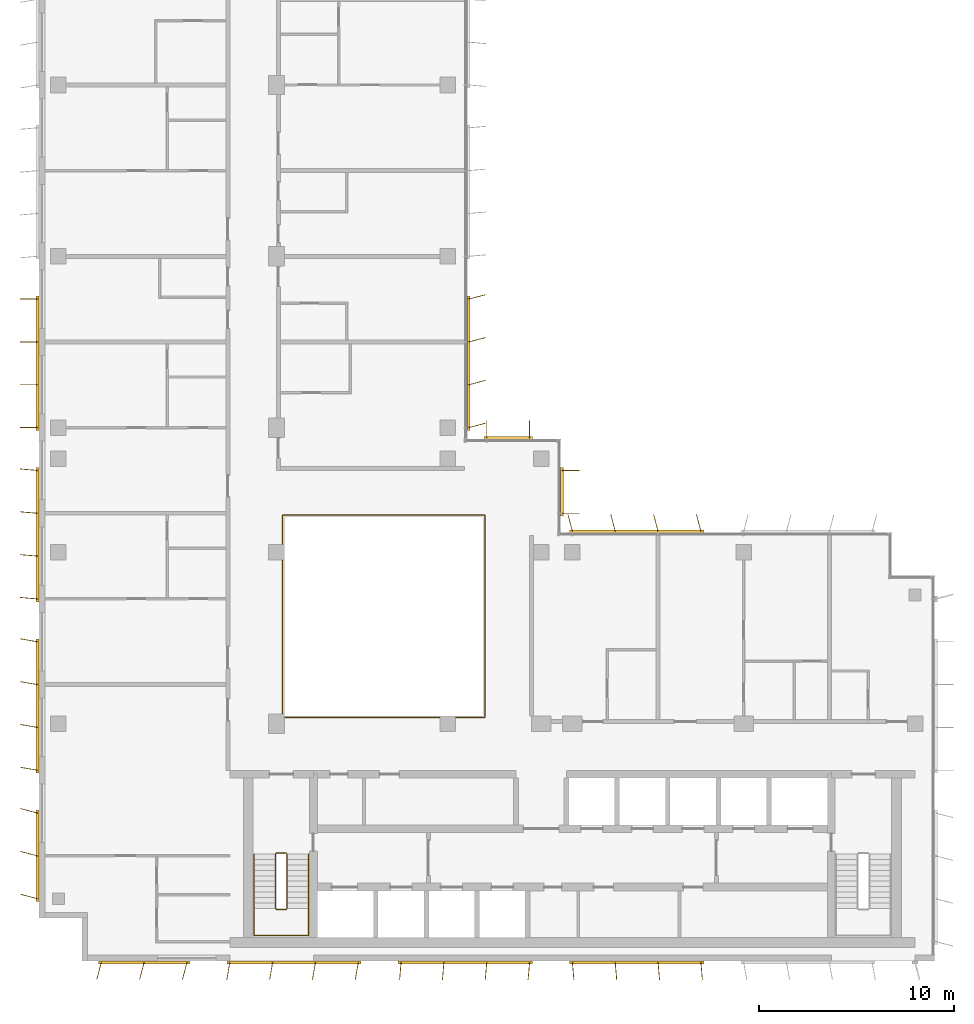
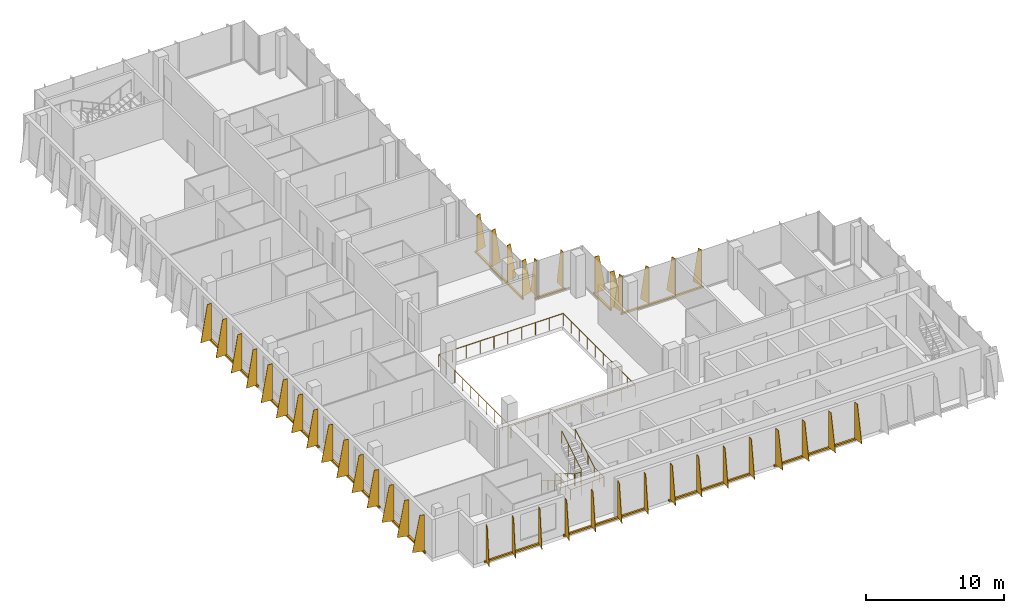
# One storey, part 14 of 16: 12 shading devices, 3 railings.
"""IFC4 building model written with IfcOpenShell, lengths in metres."""

from ifc_helpers import new_model, si_unit, direction, frame, origin, origin_2d, place, context, subcontext, project, spatial, polyline, rectangle, circle, outline, extrude, source, transform, mapped, material, layer, layer_set, type_object, element, save


model = new_model("IFC4")

# Units and contexts
model_context = context("Model", 3, precision=1e-05, world=origin(), true_north=direction((0.0, 1.0)))
body_context = subcontext(model_context, "Body", "Model", "MODEL_VIEW")
ifc_project = project(units=[si_unit("LENGTHUNIT", "METRE"), si_unit("AREAUNIT", "SQUARE_METRE"), si_unit("VOLUMEUNIT", "CUBIC_METRE"), si_unit("PLANEANGLEUNIT", "RADIAN"), si_unit("MASSUNIT", "GRAM", prefix="KILO")], contexts=[model_context])

# Site, building, storey
site_placement = place(None, origin())
site = spatial("IfcSite", under=ifc_project, at=site_placement, CompositionType="ELEMENT")
building_placement = place(site_placement, origin())
building = spatial("IfcBuilding", under=site, at=building_placement, Name="Kemantara Hotel Tower", CompositionType="ELEMENT")
storey_placement = place(building_placement, frame((0.0, 0.0, 287.0)))
storey = spatial("IfcBuildingStorey", under=building, at=storey_placement, Name="L72", CompositionType="ELEMENT", Elevation=287.0)

# Railings
ifc_material_1 = material(Name="Stainless steel and laminated glass balustrade", Category="steel")
railing_type_1 = type_object("IfcRailingType", Name="ATRIUM GUARD 1100", PredefinedType="GUARDRAIL", material=ifc_material_1)
railing_1_placement = place(storey_placement, frame((12.56005859375, 12.5, 0.0)))
element("IfcRailing", 1, at=railing_1_placement, inside=storey, type_object=railing_type_1, Name="ATRIUM GUARD L72", PredefinedType="GUARDRAIL", context=body_context, shape_type="SweptSolid", body=[
    extrude(circle(Radius=0.02490234375, at=origin_2d()), frame((0.0, 0.0, 1.0751953125), z_axis=(1.0, 0.0, 0.0), x_axis=(0.0, 1.0, 0.0)), (0.0, 0.0, 1.0), 10.33984375),
    extrude(circle(Radius=0.02490234375, at=origin_2d()), frame((10.33984375, 0.0, 1.0751953125), z_axis=(0.0, 1.0, 0.0), x_axis=(-1.0, 0.0, 0.0)), (0.0, 0.0, 1.0), 10.39990234375),
    extrude(circle(Radius=0.02490234375, at=origin_2d()), frame((10.33984375, 10.39990234375, 1.0751953125), z_axis=(-1.0, 0.0, 0.0), x_axis=(0.0, -1.0, 0.0)), (0.0, 0.0, 1.0), 10.39990234375),
    extrude(circle(Radius=0.02490234375, at=origin_2d()), frame((-0.06005859375, 10.39990234375, 1.0751953125), z_axis=(0.0, -1.0, 0.0), x_axis=(1.0, 0.0, 0.0)), (0.0, 0.0, 1.0), 10.39990234375),
    extrude(circle(Radius=0.02001953125, at=origin_2d()), origin(), (0.0, 0.0, 1.0), 1.050048828125),
    extrude(circle(Radius=0.02001953125, at=origin_2d()), frame((1.14892578125, 0.0, 0.0)), (0.0, 0.0, 1.0), 1.050048828125),
    extrude(circle(Radius=0.02001953125, at=origin_2d()), frame((2.2978515625, 0.0, 0.0)), (0.0, 0.0, 1.0), 1.050048828125),
    extrude(circle(Radius=0.02001953125, at=origin_2d()), frame((3.446533203125, 0.0, 0.0)), (0.0, 0.0, 1.0), 1.050048828125),
    extrude(circle(Radius=0.02001953125, at=origin_2d()), frame((4.595458984375, 0.0, 0.0)), (0.0, 0.0, 1.0), 1.050048828125),
    extrude(circle(Radius=0.02001953125, at=origin_2d()), frame((5.744384765625, 0.0, 0.0)), (0.0, 0.0, 1.0), 1.050048828125),
    extrude(circle(Radius=0.02001953125, at=origin_2d()), frame((6.893310546875, 0.0, 0.0)), (0.0, 0.0, 1.0), 1.050048828125),
    extrude(circle(Radius=0.02001953125, at=origin_2d()), frame((8.0419921875, 0.0, 0.0)), (0.0, 0.0, 1.0), 1.050048828125),
    extrude(circle(Radius=0.02001953125, at=origin_2d()), frame((9.19091796875, 0.0, 0.0)), (0.0, 0.0, 1.0), 1.050048828125),
    extrude(circle(Radius=0.02001953125, at=origin_2d()), frame((10.33984375, 0.0, 0.0)), (0.0, 0.0, 1.0), 1.050048828125),
    extrude(circle(Radius=0.02001953125, at=origin_2d()), frame((10.33984375, 1.155517578125, 0.0)), (0.0, 0.0, 1.0), 1.050048828125),
    extrude(circle(Radius=0.02001953125, at=origin_2d()), frame((10.33984375, 2.31103515625, 0.0)), (0.0, 0.0, 1.0), 1.050048828125),
    extrude(circle(Radius=0.02001953125, at=origin_2d()), frame((10.33984375, 3.466552734375, 0.0)), (0.0, 0.0, 1.0), 1.050048828125),
    extrude(circle(Radius=0.02001953125, at=origin_2d()), frame((10.33984375, 4.6220703125, 0.0)), (0.0, 0.0, 1.0), 1.050048828125),
    extrude(circle(Radius=0.02001953125, at=origin_2d()), frame((10.33984375, 5.77783203125, 0.0)), (0.0, 0.0, 1.0), 1.050048828125),
    extrude(circle(Radius=0.02001953125, at=origin_2d()), frame((10.33984375, 6.933349609375, 0.0)), (0.0, 0.0, 1.0), 1.050048828125),
    extrude(circle(Radius=0.02001953125, at=origin_2d()), frame((10.33984375, 8.0888671875, 0.0)), (0.0, 0.0, 1.0), 1.050048828125),
    extrude(circle(Radius=0.02001953125, at=origin_2d()), frame((10.33984375, 9.244384765625, 0.0)), (0.0, 0.0, 1.0), 1.050048828125),
    extrude(circle(Radius=0.02001953125, at=origin_2d()), frame((10.33984375, 10.39990234375, 0.0)), (0.0, 0.0, 1.0), 1.050048828125),
    extrude(circle(Radius=0.02001953125, at=origin_2d()), frame((9.184326171875, 10.39990234375, 0.0)), (0.0, 0.0, 1.0), 1.050048828125),
    extrude(circle(Radius=0.02001953125, at=origin_2d()), frame((8.02880859375, 10.39990234375, 0.0)), (0.0, 0.0, 1.0), 1.050048828125),
    extrude(circle(Radius=0.02001953125, at=origin_2d()), frame((6.873291015625, 10.39990234375, 0.0)), (0.0, 0.0, 1.0), 1.050048828125),
    extrude(circle(Radius=0.02001953125, at=origin_2d()), frame((5.7177734375, 10.39990234375, 0.0)), (0.0, 0.0, 1.0), 1.050048828125),
    extrude(circle(Radius=0.02001953125, at=origin_2d()), frame((4.56201171875, 10.39990234375, 0.0)), (0.0, 0.0, 1.0), 1.050048828125),
    extrude(circle(Radius=0.02001953125, at=origin_2d()), frame((3.406494140625, 10.39990234375, 0.0)), (0.0, 0.0, 1.0), 1.050048828125),
    extrude(circle(Radius=0.02001953125, at=origin_2d()), frame((2.2509765625, 10.39990234375, 0.0)), (0.0, 0.0, 1.0), 1.050048828125),
    extrude(circle(Radius=0.02001953125, at=origin_2d()), frame((1.095458984375, 10.39990234375, 0.0)), (0.0, 0.0, 1.0), 1.050048828125),
    extrude(circle(Radius=0.02001953125, at=origin_2d()), frame((-0.06005859375, 10.39990234375, 0.0)), (0.0, 0.0, 1.0), 1.050048828125),
    extrude(circle(Radius=0.02001953125, at=origin_2d()), frame((-0.06005859375, 9.244384765625, 0.0)), (0.0, 0.0, 1.0), 1.050048828125),
    extrude(circle(Radius=0.02001953125, at=origin_2d()), frame((-0.06005859375, 8.0888671875, 0.0)), (0.0, 0.0, 1.0), 1.050048828125),
    extrude(circle(Radius=0.02001953125, at=origin_2d()), frame((-0.06005859375, 6.933349609375, 0.0)), (0.0, 0.0, 1.0), 1.050048828125),
    extrude(circle(Radius=0.02001953125, at=origin_2d()), frame((-0.06005859375, 5.77783203125, 0.0)), (0.0, 0.0, 1.0), 1.050048828125),
    extrude(circle(Radius=0.02001953125, at=origin_2d()), frame((-0.06005859375, 4.6220703125, 0.0)), (0.0, 0.0, 1.0), 1.050048828125),
    extrude(circle(Radius=0.02001953125, at=origin_2d()), frame((-0.06005859375, 3.466552734375, 0.0)), (0.0, 0.0, 1.0), 1.050048828125),
    extrude(circle(Radius=0.02001953125, at=origin_2d()), frame((-0.06005859375, 2.31103515625, 0.0)), (0.0, 0.0, 1.0), 1.050048828125),
    extrude(circle(Radius=0.02001953125, at=origin_2d()), frame((-0.06005859375, 1.155517578125, 0.0)), (0.0, 0.0, 1.0), 1.050048828125),
    extrude(circle(Radius=0.02001953125, at=origin_2d()), frame((-0.06005859375, 0.0, 0.0)), (0.0, 0.0, 1.0), 1.050048828125),
])
ifc_material_2 = material(Name="Stainless steel balustrade", Category="steel")
railing_type_2 = type_object("IfcRailingType", Name="Stair guard 1100 mm", PredefinedType="GUARDRAIL", material=ifc_material_2)
railing_2_placement = place(storey_placement, frame((12.75, 5.5, 3.699951171875)))
element("IfcRailing", 2, at=railing_2_placement, inside=storey, type_object=railing_type_2, Name="L72 ST1 stair guard 1", PredefinedType="GUARDRAIL", context=body_context, shape_type="SweptSolid", body=[
    extrude(circle(Radius=0.02392578125, at=origin_2d()), frame((0.0, 0.0, 1.076171875), z_axis=(0.0, -0.857242210791, -0.514913383045), x_axis=(1.0, 0.0, 0.0)), (0.0, 0.0, 1.0), 3.266357421875),
    extrude(circle(Radius=0.02392578125, at=origin_2d()), frame((0.0, -2.800048828125, -0.60595703125), z_axis=(-0.274582412415, -0.274582412415, -0.921525364591), x_axis=(0.707106781187, -0.707106781187, 0.0)), (0.0, 0.0, 1.0), 0.182373046875),
    extrude(circle(Radius=0.02392578125, at=origin_2d()), frame((-0.050048828125, -2.85009765625, -0.77392578125), z_axis=(-1.0, 0.0, 0.0), x_axis=(0.0, -1.0, 0.0)), (0.0, 0.0, 1.0), 0.5),
    extrude(circle(Radius=0.02392578125, at=origin_2d()), frame((-0.550048828125, -2.85009765625, -0.77392578125), z_axis=(-0.707106781187, 0.707106781187, 0.0), x_axis=(-0.707106781187, -0.707106781187, 0.0)), (0.0, 0.0, 1.0), 0.07080078125),
    extrude(circle(Radius=0.02392578125, at=origin_2d()), frame((-0.60009765625, -2.800048828125, -0.77392578125), z_axis=(0.0, 0.857242210791, -0.514913383045), x_axis=(-1.0, 0.0, 0.0)), (0.0, 0.0, 1.0), 3.266357421875),
    extrude(circle(Radius=0.02392578125, at=origin_2d()), frame((-0.60009765625, 0.0, -2.45556640625), z_axis=(0.274243871929, 0.274243871929, -0.92172696468), x_axis=(-0.707106781187, 0.707106781187, 0.0)), (0.0, 0.0, 1.0), 0.1826171875),
    extrude(circle(Radius=0.02392578125, at=origin_2d()), frame((-0.550048828125, 0.050048828125, -2.6240234375), z_axis=(1.0, 0.0, 0.0), x_axis=(0.0, 1.0, 0.0)), (0.0, 0.0, 1.0), 0.5),
    extrude(circle(Radius=0.02099609375, at=origin_2d()), origin(), (0.0, 0.0, 1.0), 1.052001953125),
    extrude(circle(Radius=0.02099609375, at=origin_2d()), frame((0.0, -0.933349609375, -0.560546875)), (0.0, 0.0, 1.0), 1.052001953125),
    extrude(circle(Radius=0.02099609375, at=origin_2d()), frame((0.0, -1.86669921875, -1.121337890625)), (0.0, 0.0, 1.0), 1.052001953125),
    extrude(circle(Radius=0.02099609375, at=origin_2d()), frame((0.0, -2.800048828125, -1.681884765625)), (0.0, 0.0, 1.0), 1.052001953125),
    extrude(circle(Radius=0.02099609375, at=origin_2d()), frame((-0.050048828125, -2.85009765625, -1.849853515625)), (0.0, 0.0, 1.0), 1.052001953125),
    extrude(circle(Radius=0.02099609375, at=origin_2d()), frame((-0.550048828125, -2.85009765625, -1.849853515625)), (0.0, 0.0, 1.0), 1.052001953125),
    extrude(circle(Radius=0.02099609375, at=origin_2d()), frame((-0.60009765625, -2.800048828125, -1.849853515625)), (0.0, 0.0, 1.0), 1.052001953125),
    extrude(circle(Radius=0.02099609375, at=origin_2d()), frame((-0.60009765625, -1.86669921875, -2.410400390625)), (0.0, 0.0, 1.0), 1.052001953125),
    extrude(circle(Radius=0.02099609375, at=origin_2d()), frame((-0.60009765625, -0.933349609375, -2.97119140625)), (0.0, 0.0, 1.0), 1.052001953125),
    extrude(circle(Radius=0.02099609375, at=origin_2d()), frame((-0.60009765625, 0.0, -3.53173828125)), (0.0, 0.0, 1.0), 1.052001953125),
    extrude(circle(Radius=0.02099609375, at=origin_2d()), frame((-0.550048828125, 0.050048828125, -3.699951171875)), (0.0, 0.0, 1.0), 1.052001953125),
    extrude(circle(Radius=0.02099609375, at=origin_2d()), frame((-0.050048828125, 0.050048828125, -3.699951171875)), (0.0, 0.0, 1.0), 1.052001953125),
])
railing_type_3 = type_object("IfcRailingType", Name="Stair handrail 900 mm", PredefinedType="HANDRAIL", material=ifc_material_2)
railing_3_placement = place(storey_placement, frame((11.050048828125, 5.5, 0.168212890625)))
element("IfcRailing", 3, at=railing_3_placement, inside=storey, type_object=railing_type_3, Name="L72 ST1 stair handrail 1", PredefinedType="HANDRAIL", context=body_context, shape_type="SweptSolid", body=[
    extrude(circle(Radius=0.02392578125, at=origin_2d()), frame((0.0, 0.0, 0.8759765625), z_axis=(0.0, -0.857242210791, 0.514913383045), x_axis=(1.0, 0.0, 0.0)), (0.0, 0.0, 1.0), 3.266357421875),
    extrude(circle(Radius=0.02392578125, at=origin_2d()), frame((0.0, -2.800048828125, 2.5576171875), z_axis=(0.0, -1.0, 0.0), x_axis=(1.0, 0.0, 0.0)), (0.0, 0.0, 1.0), 1.3798828125),
    extrude(circle(Radius=0.02392578125, at=origin_2d()), frame((0.0, -4.179931640625, 2.5576171875), z_axis=(0.998205573864, 0.0, 0.059880149518), x_axis=(0.0, 1.0, 0.0)), (0.0, 0.0, 1.0), 2.80517578125),
    extrude(circle(Radius=0.02392578125, at=origin_2d()), frame((2.800048828125, -4.179931640625, 2.7255859375), z_axis=(0.0, 1.0, 0.0), x_axis=(-1.0, 0.0, 0.0)), (0.0, 0.0, 1.0), 1.3798828125),
    extrude(circle(Radius=0.02392578125, at=origin_2d()), frame((2.800048828125, -2.800048828125, 2.7255859375), z_axis=(0.0, 0.857242210791, 0.514913383045), x_axis=(-1.0, 0.0, 0.0)), (0.0, 0.0, 1.0), 3.266357421875),
    extrude(circle(Radius=0.02099609375, at=origin_2d()), origin(), (0.0, 0.0, 1.0), 0.851806640625),
    extrude(circle(Radius=0.02099609375, at=origin_2d()), frame((0.0, -0.933349609375, 0.560546875)), (0.0, 0.0, 1.0), 0.851806640625),
    extrude(circle(Radius=0.02099609375, at=origin_2d()), frame((0.0, -1.86669921875, 1.121337890625)), (0.0, 0.0, 1.0), 0.851806640625),
    extrude(circle(Radius=0.02099609375, at=origin_2d()), frame((0.0, -2.800048828125, 1.681884765625)), (0.0, 0.0, 1.0), 0.851806640625),
    extrude(circle(Radius=0.02099609375, at=origin_2d()), frame((0.0, -3.489990234375, 1.681884765625)), (0.0, 0.0, 1.0), 0.851806640625),
    extrude(circle(Radius=0.02099609375, at=origin_2d()), frame((0.0, -4.179931640625, 1.681884765625)), (0.0, 0.0, 1.0), 0.851806640625),
    extrude(circle(Radius=0.02099609375, at=origin_2d()), frame((0.933349609375, -4.179931640625, 1.73779296875)), (0.0, 0.0, 1.0), 0.851806640625),
    extrude(circle(Radius=0.02099609375, at=origin_2d()), frame((1.86669921875, -4.179931640625, 1.7939453125)), (0.0, 0.0, 1.0), 0.851806640625),
    extrude(circle(Radius=0.02099609375, at=origin_2d()), frame((2.800048828125, -4.179931640625, 1.849853515625)), (0.0, 0.0, 1.0), 0.851806640625),
    extrude(circle(Radius=0.02099609375, at=origin_2d()), frame((2.800048828125, -3.489990234375, 1.849853515625)), (0.0, 0.0, 1.0), 0.851806640625),
    extrude(circle(Radius=0.02099609375, at=origin_2d()), frame((2.800048828125, -2.800048828125, 1.849853515625)), (0.0, 0.0, 1.0), 0.851806640625),
    extrude(circle(Radius=0.02099609375, at=origin_2d()), frame((2.800048828125, -1.86669921875, 2.410400390625)), (0.0, 0.0, 1.0), 0.851806640625),
    extrude(circle(Radius=0.02099609375, at=origin_2d()), frame((2.800048828125, -0.933349609375, 2.97119140625)), (0.0, 0.0, 1.0), 0.851806640625),
    extrude(circle(Radius=0.02099609375, at=origin_2d()), frame((2.800048828125, 0.0, 3.53173828125)), (0.0, 0.0, 1.0), 0.851806640625),
])

# Shading devices
ifc_material_3 = material(Name="Perforated aluminium plate 4 mm bronze anodised", Category="aluminium")
ifc_layer_1 = layer(ifc_material_3, 0.0400390625)
ifc_layer_set_1 = layer_set([ifc_layer_1], Name="Perforated aluminium plate 4 mm bronze anodised")
shading_device_type_1 = type_object("IfcShadingDeviceType", Name="SCREEN FIN CASSETTE, 3 BLADES AT -15.0 DEG, 3200 HIGH", PredefinedType="USERDEFINED", material=ifc_layer_set_1)
shared_shape_1 = source(origin(), body_context, "Body", "SweptSolid", [
    extrude(rectangle(XDim=4.699951171875, YDim=0.14990234375, at=origin_2d()), frame((2.199951171875, -0.074951171875, -0.14990234375), z_axis=(0.0, 0.0, 1.0), x_axis=(1.0, 0.0, 0.0)), (0.0, 0.0, 1.0), 0.14990234375),
    extrude(outline(polyline([(0.0, 0.0), (0.89990234375, 0.0), (0.35009765625, 3.199951171875), (0.0, 3.199951171875), (0.0, 0.0)])), frame((0.019287109375, -0.080078125, 0.0), z_axis=(-0.966437683387, 0.256901156343, 0.0), x_axis=(-0.256901156343, -0.966437683387, 0.0)), (0.0, 0.0, 1.0), 0.039794921875),
    extrude(outline(polyline([(0.0, 0.0), (0.89990234375, 0.0), (0.35009765625, 3.199951171875), (0.0, 3.199951171875), (0.0, 0.0)])), frame((2.21923828125, -0.080078125, 0.0), z_axis=(-0.966437683387, 0.256901156343, 0.0), x_axis=(-0.256901156343, -0.966437683387, 0.0)), (0.0, 0.0, 1.0), 0.039794921875),
    extrude(outline(polyline([(0.0, 0.0), (0.89990234375, 0.0), (0.35009765625, 3.199951171875), (0.0, 3.199951171875), (0.0, 0.0)])), frame((4.41943359375, -0.080078125, 0.0), z_axis=(-0.966837822169, 0.255391122837, 0.0), x_axis=(-0.255391122837, -0.966837822169, 0.0)), (0.0, 0.0, 1.0), 0.0400390625),
])
for number, where, z_axis, x_axis, name in (
    (4, (0.0, 7.60009765625, 0.10009765625), (0.0, 0.0, 1.0), (0.0, -1.0, 0.0), "SCREEN FIN CASSETTE L72 T4-R05-7"),
    (5, (3.199951171875, 0.0, 0.10009765625), (0.0, 0.0, 1.0), (1.0, 0.0, 0.0), "SCREEN FIN CASSETTE L72 T4-R08-1"),
):
    element("IfcShadingDevice", number, at=place(storey_placement, frame(where, z_axis=z_axis, x_axis=x_axis)), inside=storey, type_object=shading_device_type_1, Name=name, ObjectType="SCREEN FIN", PredefinedType="USERDEFINED", context=body_context, shape_type="MappedRepresentation", body=[
        mapped(shared_shape_1, transform((0.0, 0.0, 0.0))),
    ])
ifc_layer_2 = layer(ifc_material_3, 0.0400390625)
ifc_layer_set_2 = layer_set([ifc_layer_2], Name="Perforated aluminium plate 4 mm bronze anodised")
shading_device_type_2 = type_object("IfcShadingDeviceType", Name="SCREEN FIN CASSETTE, 4 BLADES AT -10.0 DEG, 3200 HIGH", PredefinedType="USERDEFINED", material=ifc_layer_set_2)
shared_shape_2 = source(origin(), body_context, "Body", "SweptSolid", [
    extrude(rectangle(XDim=6.89990234375, YDim=0.14990234375, at=origin_2d()), frame((3.300048828125, -0.074951171875, -0.14990234375), z_axis=(0.0, 0.0, 1.0), x_axis=(1.0, 0.0, 0.0)), (0.0, 0.0, 1.0), 0.14990234375),
    extrude(outline(polyline([(0.0, 0.0), (0.89990234375, 0.0), (0.35009765625, 3.199951171875), (0.0, 3.199951171875), (0.0, 0.0)])), frame((0.019775390625, -0.078369140625, 0.0), z_axis=(-0.985389793052, 0.170314285219, 0.0), x_axis=(-0.170314285219, -0.985389793052, 0.0)), (0.0, 0.0, 1.0), 0.0400390625),
    extrude(outline(polyline([(0.0, 0.0), (0.89990234375, 0.0), (0.35009765625, 3.199951171875), (0.0, 3.199951171875), (0.0, 0.0)])), frame((2.2197265625, -0.078369140625, 0.0), z_axis=(-0.98521175482, 0.171341174751, 0.0), x_axis=(-0.171341174751, -0.98521175482, 0.0)), (0.0, 0.0, 1.0), 0.039794921875),
    extrude(outline(polyline([(0.0, 0.0), (0.89990234375, 0.0), (0.35009765625, 3.199951171875), (0.0, 3.199951171875), (0.0, 0.0)])), frame((4.419677734375, -0.078369140625, 0.0), z_axis=(-0.98521175482, 0.171341174751, 0.0), x_axis=(-0.171341174751, -0.98521175482, 0.0)), (0.0, 0.0, 1.0), 0.039794921875),
    extrude(outline(polyline([(0.0, 0.0), (0.89990234375, 0.0), (0.35009765625, 3.199951171875), (0.0, 3.199951171875), (0.0, 0.0)])), frame((6.61962890625, -0.078369140625, 0.0), z_axis=(-0.98521175482, 0.171341174751, 0.0), x_axis=(-0.171341174751, -0.98521175482, 0.0)), (0.0, 0.0, 1.0), 0.039794921875),
])
for number, where, z_axis, x_axis, name in (
    (6, (0.0, 16.39990234375, 0.10009765625), (0.0, 0.0, 1.0), (0.0, -1.0, 0.0), "SCREEN FIN CASSETTE L72 T4-R05-6"),
    (7, (9.800048828125, 0.0, 0.10009765625), (0.0, 0.0, 1.0), (1.0, 0.0, 0.0), "SCREEN FIN CASSETTE L72 T4-R08-2"),
):
    element("IfcShadingDevice", number, at=place(storey_placement, frame(where, z_axis=z_axis, x_axis=x_axis)), inside=storey, type_object=shading_device_type_2, Name=name, ObjectType="SCREEN FIN", PredefinedType="USERDEFINED", context=body_context, shape_type="MappedRepresentation", body=[
        mapped(shared_shape_2, transform((0.0, 0.0, 0.0))),
    ])
ifc_layer_3 = layer(ifc_material_3, 0.0400390625)
ifc_layer_set_3 = layer_set([ifc_layer_3], Name="Perforated aluminium plate 4 mm bronze anodised")
shading_device_type_3 = type_object("IfcShadingDeviceType", Name="SCREEN FIN CASSETTE, 4 BLADES AT -5.0 DEG, 3200 HIGH", PredefinedType="USERDEFINED", material=ifc_layer_set_3)
shared_shape_3 = source(origin(), body_context, "Body", "SweptSolid", [
    extrude(rectangle(XDim=6.89990234375, YDim=0.14990234375, at=origin_2d()), frame((3.300048828125, -0.074951171875, -0.14990234375), z_axis=(0.0, 0.0, 1.0), x_axis=(1.0, 0.0, 0.0)), (0.0, 0.0, 1.0), 0.14990234375),
    extrude(outline(polyline([(0.0, 0.0), (0.89990234375, 0.0), (0.35009765625, 3.199951171875), (0.0, 3.199951171875), (0.0, 0.0)])), frame((0.02001953125, -0.07666015625, 0.0), z_axis=(-0.996376129781, 0.085056498884, 0.0), x_axis=(-0.085056498884, -0.996376129781, 0.0)), (0.0, 0.0, 1.0), 0.040283203125),
    extrude(outline(polyline([(0.0, 0.0), (0.89990234375, 0.0), (0.35009765625, 3.199951171875), (0.0, 3.199951171875), (0.0, 0.0)])), frame((2.219970703125, -0.07666015625, 0.0), z_axis=(-0.996331773833, 0.085574508182, 0.0), x_axis=(-0.085574508182, -0.996331773833, 0.0)), (0.0, 0.0, 1.0), 0.0400390625),
    extrude(outline(polyline([(0.0, 0.0), (0.89990234375, 0.0), (0.35009765625, 3.199951171875), (0.0, 3.199951171875), (0.0, 0.0)])), frame((4.419921875, -0.07666015625, 0.0), z_axis=(-0.996331773833, 0.085574508182, 0.0), x_axis=(-0.085574508182, -0.996331773833, 0.0)), (0.0, 0.0, 1.0), 0.0400390625),
    extrude(outline(polyline([(0.0, 0.0), (0.89990234375, 0.0), (0.35009765625, 3.199951171875), (0.0, 3.199951171875), (0.0, 0.0)])), frame((6.619873046875, -0.07666015625, 0.0), z_axis=(-0.996331773833, 0.085574508182, 0.0), x_axis=(-0.085574508182, -0.996331773833, 0.0)), (0.0, 0.0, 1.0), 0.0400390625),
])
for number, where, z_axis, x_axis, name in (
    (8, (0.0, 25.199951171875, 0.10009765625), (0.0, 0.0, 1.0), (0.0, -1.0, 0.0), "SCREEN FIN CASSETTE L72 T4-R05-5"),
    (9, (18.60009765625, 0.0, 0.10009765625), (0.0, 0.0, 1.0), (1.0, 0.0, 0.0), "SCREEN FIN CASSETTE L72 T4-R08-3"),
):
    element("IfcShadingDevice", number, at=place(storey_placement, frame(where, z_axis=z_axis, x_axis=x_axis)), inside=storey, type_object=shading_device_type_3, Name=name, ObjectType="SCREEN FIN", PredefinedType="USERDEFINED", context=body_context, shape_type="MappedRepresentation", body=[
        mapped(shared_shape_3, transform((0.0, 0.0, 0.0))),
    ])
ifc_layer_4 = layer(ifc_material_3, 0.0400390625)
ifc_layer_set_4 = layer_set([ifc_layer_4], Name="Perforated aluminium plate 4 mm bronze anodised")
shading_device_type_4 = type_object("IfcShadingDeviceType", Name="SCREEN FIN CASSETTE, 4 BLADES AT +0.0 DEG, 3200 HIGH", PredefinedType="USERDEFINED", material=ifc_layer_set_4)
shared_shape_4 = source(origin(), body_context, "Body", "SweptSolid", [
    extrude(rectangle(XDim=6.89990234375, YDim=0.14990234375, at=origin_2d()), frame((3.300048828125, -0.074951171875, -0.14990234375), z_axis=(0.0, 0.0, 1.0), x_axis=(1.0, 0.0, 0.0)), (0.0, 0.0, 1.0), 0.14990234375),
    extrude(outline(polyline([(0.0, 0.0), (0.89990234375, 0.0), (0.35009765625, 3.199951171875), (0.0, 3.199951171875), (0.0, 0.0)])), frame((0.02001953125, -0.074951171875, 0.0), z_axis=(-1.0, 0.0, 0.0), x_axis=(0.0, -1.0, 0.0)), (0.0, 0.0, 1.0), 0.0400390625),
    extrude(outline(polyline([(0.0, 0.0), (0.89990234375, 0.0), (0.35009765625, 3.199951171875), (0.0, 3.199951171875), (0.0, 0.0)])), frame((2.219970703125, -0.074951171875, 0.0), z_axis=(-1.0, 0.0, 0.0), x_axis=(0.0, -1.0, 0.0)), (0.0, 0.0, 1.0), 0.0400390625),
    extrude(outline(polyline([(0.0, 0.0), (0.89990234375, 0.0), (0.35009765625, 3.199951171875), (0.0, 3.199951171875), (0.0, 0.0)])), frame((4.419921875, -0.074951171875, 0.0), z_axis=(-1.0, 0.0, 0.0), x_axis=(0.0, -1.0, 0.0)), (0.0, 0.0, 1.0), 0.0400390625),
    extrude(outline(polyline([(0.0, 0.0), (0.89990234375, 0.0), (0.35009765625, 3.199951171875), (0.0, 3.199951171875), (0.0, 0.0)])), frame((6.6201171875, -0.074951171875, 0.0), z_axis=(-1.0, 0.0, 0.0), x_axis=(0.0, -1.0, 0.0)), (0.0, 0.0, 1.0), 0.0400390625),
])
shading_device_1_placement = place(storey_placement, frame((0.0, 34.0, 0.10009765625), z_axis=(0.0, 0.0, 1.0), x_axis=(0.0, -1.0, 0.0)))
element("IfcShadingDevice", 10, at=shading_device_1_placement, inside=storey, type_object=shading_device_type_4, Name="SCREEN FIN CASSETTE L72 T4-R05-4", ObjectType="SCREEN FIN", PredefinedType="USERDEFINED", context=body_context, shape_type="MappedRepresentation", body=[
    mapped(shared_shape_4, transform((0.0, 0.0, 0.0))),
])
ifc_layer_5 = layer(ifc_material_3, 0.0400390625)
ifc_layer_set_5 = layer_set([ifc_layer_5], Name="Perforated aluminium plate 4 mm bronze anodised")
shading_device_type_5 = type_object("IfcShadingDeviceType", Name="SCREEN FIN CASSETTE, 4 BLADES AT +5.0 DEG, 3200 HIGH", PredefinedType="USERDEFINED", material=ifc_layer_set_5)
shared_shape_5 = source(origin(), body_context, "Body", "SweptSolid", [
    extrude(rectangle(XDim=6.89990234375, YDim=0.14990234375, at=origin_2d()), frame((3.300048828125, -0.074951171875, -0.14990234375), z_axis=(0.0, 0.0, 1.0), x_axis=(1.0, 0.0, 0.0)), (0.0, 0.0, 1.0), 0.14990234375),
    extrude(outline(polyline([(0.0, 0.0), (0.89990234375, 0.0), (0.35009765625, 3.199951171875), (0.0, 3.199951171875), (0.0, 0.0)])), frame((0.02001953125, -0.0732421875, 0.0), z_axis=(-0.996376129781, -0.085056498884, 0.0), x_axis=(0.085056498884, -0.996376129781, 0.0)), (0.0, 0.0, 1.0), 0.040283203125),
    extrude(outline(polyline([(0.0, 0.0), (0.89990234375, 0.0), (0.35009765625, 3.199951171875), (0.0, 3.199951171875), (0.0, 0.0)])), frame((2.219970703125, -0.0732421875, 0.0), z_axis=(-0.996331773833, -0.085574508182, 0.0), x_axis=(0.085574508182, -0.996331773833, 0.0)), (0.0, 0.0, 1.0), 0.0400390625),
    extrude(outline(polyline([(0.0, 0.0), (0.89990234375, 0.0), (0.35009765625, 3.199951171875), (0.0, 3.199951171875), (0.0, 0.0)])), frame((4.419921875, -0.0732421875, 0.0), z_axis=(-0.996331773833, -0.085574508182, 0.0), x_axis=(0.085574508182, -0.996331773833, 0.0)), (0.0, 0.0, 1.0), 0.0400390625),
    extrude(outline(polyline([(0.0, 0.0), (0.89990234375, 0.0), (0.35009765625, 3.199951171875), (0.0, 3.199951171875), (0.0, 0.0)])), frame((6.619873046875, -0.0732421875, 0.0), z_axis=(-0.996331773833, -0.085574508182, 0.0), x_axis=(0.085574508182, -0.996331773833, 0.0)), (0.0, 0.0, 1.0), 0.0400390625),
])
shading_device_2_placement = place(storey_placement, frame((27.39990234375, 0.0, 0.10009765625), z_axis=(0.0, 0.0, 1.0), x_axis=(1.0, 0.0, 0.0)))
element("IfcShadingDevice", 11, at=shading_device_2_placement, inside=storey, type_object=shading_device_type_5, Name="SCREEN FIN CASSETTE L72 T4-R08-4", ObjectType="SCREEN FIN", PredefinedType="USERDEFINED", context=body_context, shape_type="MappedRepresentation", body=[
    mapped(shared_shape_5, transform((0.0, 0.0, 0.0))),
])
ifc_layer_6 = layer(ifc_material_3, 0.0400390625)
ifc_layer_set_6 = layer_set([ifc_layer_6], Name="Perforated aluminium plate 4 mm bronze anodised")
shading_device_type_6 = type_object("IfcShadingDeviceType", Name="SCREEN FIN CASSETTE, 4 BLADES AT +15.0 DEG, 3200 HIGH", PredefinedType="USERDEFINED", material=ifc_layer_set_6)
shared_shape_6 = source(origin(), body_context, "Body", "SweptSolid", [
    extrude(rectangle(XDim=6.89990234375, YDim=0.14990234375, at=origin_2d()), frame((3.300048828125, -0.074951171875, -0.14990234375), z_axis=(0.0, 0.0, 1.0), x_axis=(1.0, 0.0, 0.0)), (0.0, 0.0, 1.0), 0.14990234375),
    extrude(outline(polyline([(0.0, 0.0), (0.89990234375, 0.0), (0.35009765625, 3.199951171875), (0.0, 3.199951171875), (0.0, 0.0)])), frame((0.019287109375, -0.06982421875, 0.0), z_axis=(-0.966437683387, -0.256901156343, 0.0), x_axis=(0.256901156343, -0.966437683387, 0.0)), (0.0, 0.0, 1.0), 0.039794921875),
    extrude(outline(polyline([(0.0, 0.0), (0.89990234375, 0.0), (0.35009765625, 3.199951171875), (0.0, 3.199951171875), (0.0, 0.0)])), frame((2.21923828125, -0.06982421875, 0.0), z_axis=(-0.966437683387, -0.256901156343, 0.0), x_axis=(0.256901156343, -0.966437683387, 0.0)), (0.0, 0.0, 1.0), 0.039794921875),
    extrude(outline(polyline([(0.0, 0.0), (0.89990234375, 0.0), (0.35009765625, 3.199951171875), (0.0, 3.199951171875), (0.0, 0.0)])), frame((4.41943359375, -0.06982421875, 0.0), z_axis=(-0.966837822169, -0.255391122837, 0.0), x_axis=(0.255391122837, -0.966837822169, 0.0)), (0.0, 0.0, 1.0), 0.0400390625),
    extrude(outline(polyline([(0.0, 0.0), (0.89990234375, 0.0), (0.35009765625, 3.199951171875), (0.0, 3.199951171875), (0.0, 0.0)])), frame((6.619384765625, -0.06982421875, 0.0), z_axis=(-0.966837822169, -0.255391122837, 0.0), x_axis=(0.255391122837, -0.966837822169, 0.0)), (0.0, 0.0, 1.0), 0.0400390625),
])
for number, where, z_axis, x_axis, name in (
    (12, (34.0, 22.0, 0.10009765625), (0.0, 0.0, 1.0), (-1.0, 0.0, 0.0), "SCREEN FIN CASSETTE L72 T4-R12-2"),
    (13, (22.0, 27.39990234375, 0.10009765625), (0.0, 0.0, 1.0), (0.0, 1.0, 0.0), "SCREEN FIN CASSETTE L72 T4-R15-1"),
):
    element("IfcShadingDevice", number, at=place(storey_placement, frame(where, z_axis=z_axis, x_axis=x_axis)), inside=storey, type_object=shading_device_type_6, Name=name, ObjectType="SCREEN FIN", PredefinedType="USERDEFINED", context=body_context, shape_type="MappedRepresentation", body=[
        mapped(shared_shape_6, transform((0.0, 0.0, 0.0))),
    ])
ifc_layer_7 = layer(ifc_material_3, 0.0400390625)
ifc_layer_set_7 = layer_set([ifc_layer_7], Name="Perforated aluminium plate 4 mm bronze anodised")
shading_device_type_7 = type_object("IfcShadingDeviceType", Name="SCREEN FIN CASSETTE, 2 BLADES AT +0.0 DEG, 3200 HIGH", PredefinedType="USERDEFINED", material=ifc_layer_set_7)
shared_shape_7 = source(origin(), body_context, "Body", "SweptSolid", [
    extrude(rectangle(XDim=2.5, YDim=0.14990234375, at=origin_2d()), frame((1.10009765625, -0.074951171875, -0.14990234375), z_axis=(0.0, 0.0, 1.0), x_axis=(1.0, 0.0, 0.0)), (0.0, 0.0, 1.0), 0.14990234375),
    extrude(outline(polyline([(0.0, 0.0), (0.89990234375, 0.0), (0.35009765625, 3.199951171875), (0.0, 3.199951171875), (0.0, 0.0)])), frame((0.02001953125, -0.074951171875, 0.0), z_axis=(-1.0, 0.0, 0.0), x_axis=(0.0, -1.0, 0.0)), (0.0, 0.0, 1.0), 0.0400390625),
    extrude(outline(polyline([(0.0, 0.0), (0.89990234375, 0.0), (0.35009765625, 3.199951171875), (0.0, 3.199951171875), (0.0, 0.0)])), frame((2.219970703125, -0.074951171875, 0.0), z_axis=(-1.0, 0.0, 0.0), x_axis=(0.0, -1.0, 0.0)), (0.0, 0.0, 1.0), 0.0400390625),
])
for number, where, z_axis, x_axis, name in (
    (14, (26.800048828125, 23.0, 0.10009765625), (0.0, 0.0, 1.0), (0.0, 1.0, 0.0), "SCREEN FIN CASSETTE L72 T4-R13-1"),
    (15, (25.199951171875, 26.800048828125, 0.10009765625), (0.0, 0.0, 1.0), (-1.0, 0.0, 0.0), "SCREEN FIN CASSETTE L72 T4-R14-1"),
):
    element("IfcShadingDevice", number, at=place(storey_placement, frame(where, z_axis=z_axis, x_axis=x_axis)), inside=storey, type_object=shading_device_type_7, Name=name, ObjectType="SCREEN FIN", PredefinedType="USERDEFINED", context=body_context, shape_type="MappedRepresentation", body=[
        mapped(shared_shape_7, transform((0.0, 0.0, 0.0))),
    ])

save(model, "model.ifc")
